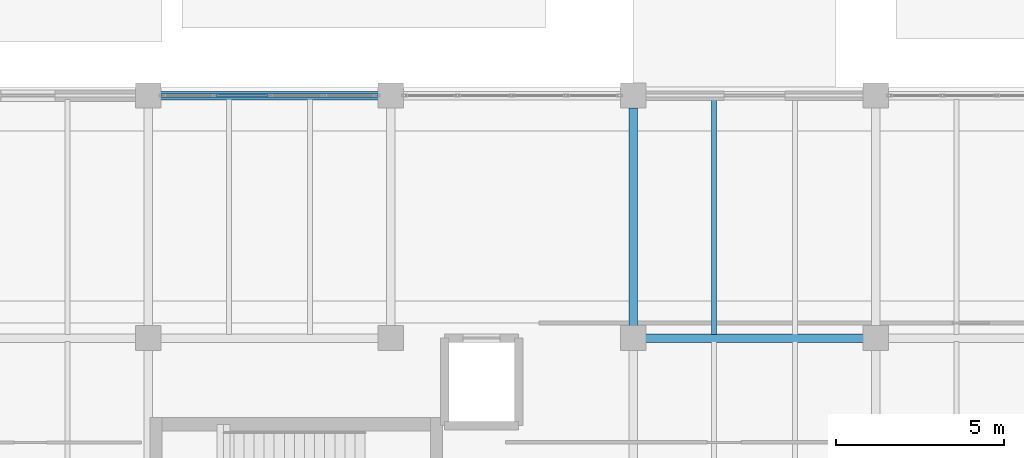
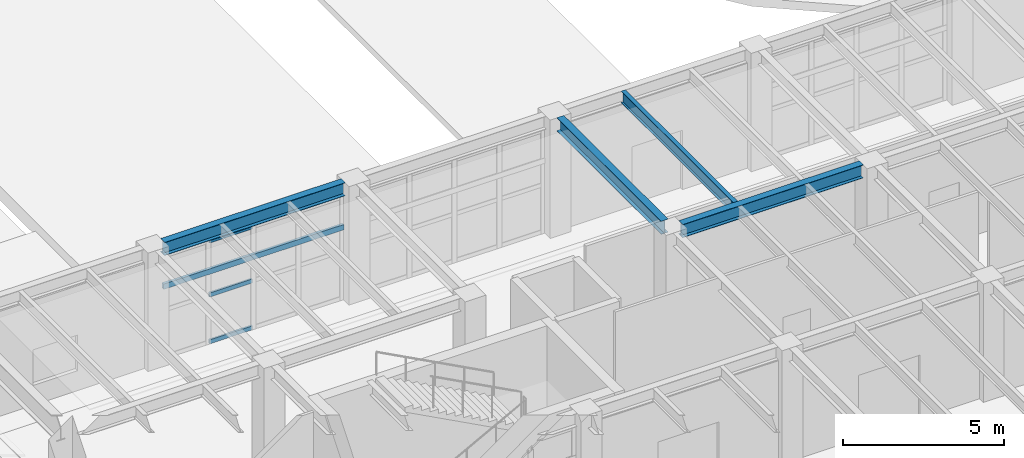
# One storey, part 12 of 39: 5 beams, 3 members, 1 element without a shape of its own.
"""IFC4 building model written with IfcOpenShell, lengths in metres."""

from ifc_helpers import new_model, si_unit, direction, frame, origin, origin_2d, place, context, subcontext, project, spatial, hollow_rectangle, i_section, extrude, material, layer, layer_set, material_profile, profile_set, type_object, element, aggregate, save


model = new_model("IFC4")

# Units and contexts
model_context = context("Model", 3, precision=1e-05, world=origin(), true_north=direction((0.0, 1.0)))
body_context = subcontext(model_context, "Body", "Model", "MODEL_VIEW")
ifc_project = project(units=[si_unit("LENGTHUNIT", "METRE"), si_unit("AREAUNIT", "SQUARE_METRE"), si_unit("VOLUMEUNIT", "CUBIC_METRE"), si_unit("PLANEANGLEUNIT", "RADIAN"), si_unit("MASSUNIT", "GRAM", prefix="KILO")], contexts=[model_context])

# Site, building, storey
site_placement = place(None, origin())
site = spatial("IfcSite", under=ifc_project, at=site_placement, CompositionType="ELEMENT")
building_placement = place(site_placement, origin())
building = spatial("IfcBuilding", under=site, at=building_placement, Name="Kandorven Conservatory and Botanical Research Centre", CompositionType="ELEMENT")
storey_placement = place(building_placement, origin())
storey = spatial("IfcBuildingStorey", under=building, at=storey_placement, Name="L00", CompositionType="ELEMENT", Elevation=0.0)

# Beams
ifc_material_1 = material(Name="Steel S355 (IS 2062 E350)", Category="steel")
ifc_material_profile_1 = material_profile(ifc_material_1, i_section(OverallWidth=0.25, OverallDepth=0.5, WebThickness=0.010009765625, FlangeThickness=0.0146484375, at=origin_2d()))
ifc_profile_set_1 = profile_set([ifc_material_profile_1], Name="Steel S355 (IS 2062 E350)")
beam_type_1 = type_object("IfcBeamType", Name="Beam_FG-02", PredefinedType="USERDEFINED", material=ifc_profile_set_1)
for number, where, z_axis, x_axis, name in (
    (1, (63.965087890625, 20.39990234375, 4.22998046875), (1.0, 0.0, 0.0), (0.0, 1.0, 0.0), "Primary girder FG-02 VIS L00"),
    (2, (49.56494140625, 27.60009765625, 4.22998046875), (1.0, 0.0, 0.0), (0.0, 1.0, 0.0), "Primary girder FG-02 VIS L00"),
):
    element("IfcBeam", number, at=place(storey_placement, frame(where, z_axis=z_axis, x_axis=x_axis)), inside=storey, type_object=beam_type_1, Name=name, ObjectType="GIRDER", PredefinedType="USERDEFINED", context=body_context, shape_type="SweptSolid", body=[
        extrude(i_section(OverallWidth=0.25, OverallDepth=0.5, WebThickness=0.010009765625, FlangeThickness=0.0146484375, at=origin_2d()), origin(), (0.0, 0.0, 1.0), 6.469970703125),
    ])
beam_1_placement = place(storey_placement, frame((63.60009765625, 20.764892578125, 4.22998046875), z_axis=(0.0, 1.0, 0.0), x_axis=(-1.0, 0.0, 0.0)))
element("IfcBeam", 3, at=beam_1_placement, inside=storey, type_object=beam_type_1, Name="Primary girder FG-02 VIS L00", ObjectType="GIRDER", PredefinedType="USERDEFINED", context=body_context, shape_type="SweptSolid", body=[
    extrude(i_section(OverallWidth=0.25, OverallDepth=0.5, WebThickness=0.010009765625, FlangeThickness=0.0146484375, at=origin_2d()), origin(), (0.0, 0.0, 1.0), 6.47021484375),
])
ifc_material_2 = material(Name="Steel S355 (IS 2062 E350)", Category="steel")
ifc_material_profile_2 = material_profile(ifc_material_2, hollow_rectangle(XDim=0.10009765625, YDim=0.199951171875, WallThickness=0.008056640625, at=origin_2d()))
ifc_profile_set_2 = profile_set([ifc_material_profile_2], Name="Steel S355 (IS 2062 E350)")
beam_type_2 = type_object("IfcBeamType", Name="Beam_LN-01", PredefinedType="LINTEL", material=ifc_profile_set_2)
beam_2_placement = place(storey_placement, frame((49.574951171875, 27.60009765625, 2.75), z_axis=(1.0, 0.0, 0.0), x_axis=(0.0, 1.0, 0.0)))
element("IfcBeam", 4, at=beam_2_placement, inside=storey, type_object=beam_type_2, Name="Column-to-column opening transom lintel LN-01 L00-2-2", PredefinedType="LINTEL", context=body_context, shape_type="SweptSolid", body=[
    extrude(hollow_rectangle(XDim=0.10009765625, YDim=0.199951171875, WallThickness=0.008056640625, at=origin_2d()), origin(), (0.0, 0.0, 1.0), 6.449951171875),
])
ifc_material_3 = material(Name="Steel S355 (IS 2062 E350)", Category="steel")
ifc_material_profile_3 = material_profile(ifc_material_3, i_section(OverallWidth=0.14990234375, OverallDepth=0.449951171875, WebThickness=0.009521484375, FlangeThickness=0.017333984375, at=origin_2d()))
ifc_profile_set_3 = profile_set([ifc_material_profile_3], Name="Steel S355 (IS 2062 E350)")
beam_type_3 = type_object("IfcBeamType", Name="Beam_SB-04", PredefinedType="BEAM", material=ifc_profile_set_3)
beam_3_placement = place(storey_placement, frame((66.0, 20.510009765625, 4.2548828125), z_axis=(0.0, 1.0, 0.0), x_axis=(-1.0, 0.0, 0.0)))
element("IfcBeam", 5, at=beam_3_placement, inside=storey, type_object=beam_type_3, Name="Composite secondary beam SB-04 VIS L00", PredefinedType="BEAM", context=body_context, shape_type="SweptSolid", body=[
    extrude(i_section(OverallWidth=0.14990234375, OverallDepth=0.449951171875, WebThickness=0.009521484375, FlangeThickness=0.017333984375, at=origin_2d()), origin(), (0.0, 0.0, 1.0), 6.97998046875),
])

# Curtain wall, members
ifc_material_4 = material(Name="Bronze anodised thermally broken aluminium", Category="aluminium")
ifc_layer = layer(ifc_material_4, 0.179931640625)
ifc_layer_set = layer_set([ifc_layer], Name="Bronze anodised thermally broken aluminium")
curtain_wall_type = type_object("IfcCurtainWallType", Name="CW_Unitised", PredefinedType="USERDEFINED", material=ifc_layer_set)
curtain_wall_placement = place(storey_placement, origin())
curtain_wall = element("IfcCurtainWall", 6, at=curtain_wall_placement, inside=storey, type_object=curtain_wall_type, Name="Visitor wing unitised curtain wall CW-VIS-N-L00-2", ObjectType="UNITISED GLAZING", PredefinedType="USERDEFINED")
ifc_material_5 = material(Name="Bronze anodised thermally broken aluminium", Category="aluminium")
ifc_material_profile_4 = material_profile(ifc_material_5, hollow_rectangle(XDim=0.074951171875, YDim=0.14990234375, WallThickness=0.006103515625, at=origin_2d()))
ifc_profile_set_4 = profile_set([ifc_material_profile_4], Name="Bronze anodised thermally broken aluminium")
member_type = type_object("IfcMemberType", Name="CW_Transom", PredefinedType="USERDEFINED", material=ifc_profile_set_4)
member_1_placement = place(storey_placement, frame((51.2275390625, 27.60009765625, 0.074951171875), z_axis=(1.0, 0.0, 0.0), x_axis=(0.0, 1.0, 0.0)))
member_1 = element("IfcMember", 7, at=member_1_placement, type_object=member_type, Name="CW-01 transom 2.1", ObjectType="TRANSOM", PredefinedType="USERDEFINED", context=body_context, shape_type="SweptSolid", body=[
    extrude(hollow_rectangle(XDim=0.074951171875, YDim=0.14990234375, WallThickness=0.006103515625, at=origin_2d()), origin(), (0.0, 0.0, 1.0), 1.532470703125),
])
member_2_placement = place(storey_placement, frame((51.2275390625, 27.60009765625, 1.85009765625), z_axis=(1.0, 0.0, 0.0), x_axis=(0.0, 1.0, 0.0)))
member_2 = element("IfcMember", 8, at=member_2_placement, type_object=member_type, Name="CW-01 transom 2.2", ObjectType="TRANSOM", PredefinedType="USERDEFINED", context=body_context, shape_type="SweptSolid", body=[
    extrude(hollow_rectangle(XDim=0.074951171875, YDim=0.14990234375, WallThickness=0.006103515625, at=origin_2d()), origin(), (0.0, 0.0, 1.0), 1.532470703125),
])
member_3_placement = place(storey_placement, frame((51.2275390625, 27.60009765625, 3.89501953125), z_axis=(1.0, 0.0, 0.0), x_axis=(0.0, 1.0, 0.0)))
member_3 = element("IfcMember", 9, at=member_3_placement, type_object=member_type, Name="CW-01 transom 2.3", ObjectType="TRANSOM", PredefinedType="USERDEFINED", context=body_context, shape_type="SweptSolid", body=[
    extrude(hollow_rectangle(XDim=0.074951171875, YDim=0.14990234375, WallThickness=0.006103515625, at=origin_2d()), origin(), (0.0, 0.0, 1.0), 1.532470703125),
])
aggregate(curtain_wall, [member_1, member_2, member_3])

save(model, "model.ifc")
